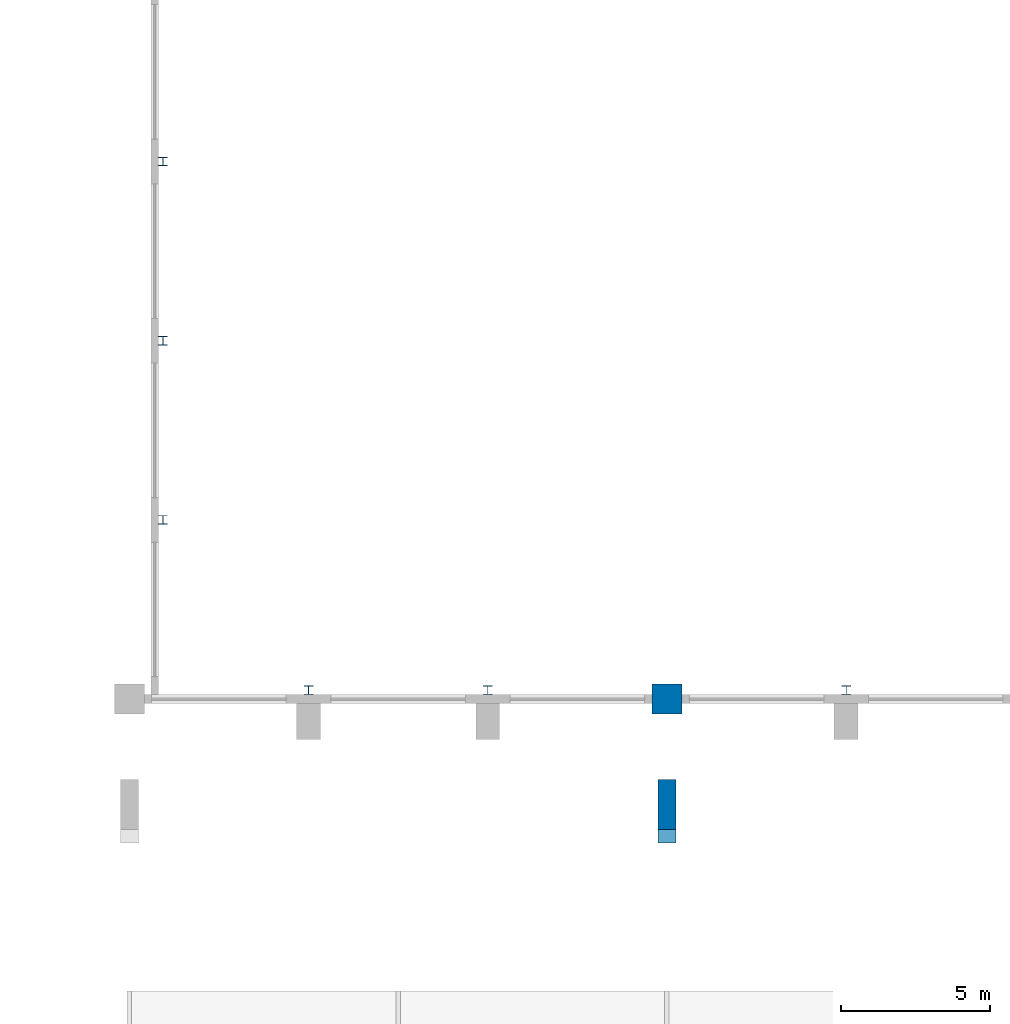
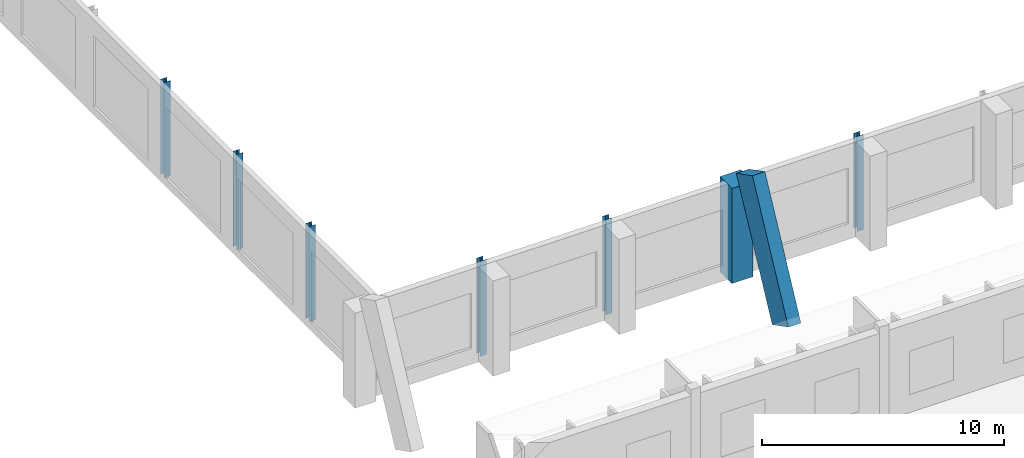
# One storey, part 7 of 182: 8 columns.
"""IFC4 building model written with IfcOpenShell, lengths in metres."""

from ifc_helpers import new_model, si_unit, direction, frame, origin, origin_2d, place, context, subcontext, project, spatial, rectangle, i_section, extrude, material, material_profile, profile_set, type_object, element, save


model = new_model("IFC4")

# Units and contexts
model_context = context("Model", 3, precision=1e-05, world=origin(), true_north=direction((0.0, 1.0)))
body_context = subcontext(model_context, "Body", "Model", "MODEL_VIEW")
ifc_project = project(units=[si_unit("LENGTHUNIT", "METRE"), si_unit("AREAUNIT", "SQUARE_METRE"), si_unit("VOLUMEUNIT", "CUBIC_METRE"), si_unit("PLANEANGLEUNIT", "RADIAN"), si_unit("MASSUNIT", "GRAM", prefix="KILO")], contexts=[model_context])

# Site, building, storey
site_placement = place(None, origin())
site = spatial("IfcSite", under=ifc_project, at=site_placement, CompositionType="ELEMENT")
building_placement = place(site_placement, origin())
building = spatial("IfcBuilding", under=site, at=building_placement, Name="Okhra Congress Centre", CompositionType="ELEMENT")
storey_placement = place(building_placement, frame((0.0, 0.0, 7.199951171875)))
storey = spatial("IfcBuildingStorey", under=building, at=storey_placement, Name="L01", CompositionType="ELEMENT", Elevation=7.199951171875)

# Columns
ifc_material_1 = material(Name="Steel S355J2", Category="steel")
ifc_material_profile_1 = material_profile(ifc_material_1, i_section(OverallWidth=0.300048828125, OverallDepth=0.2900390625, WebThickness=0.008544921875, FlangeThickness=0.013916015625, at=origin_2d()), Name="HE 300 A")
ifc_profile_set_1 = profile_set([ifc_material_profile_1], Name="Steel S355J2")
column_type_1 = type_object("IfcColumnType", Name="HE 300 A", PredefinedType="COLUMN", material=ifc_profile_set_1)
for number, where, z_axis, x_axis, name in (
    (1, (34.0, 132.300048828125, 0.0), (0.0, 0.0, 1.0), (1.0, 0.0, 0.0), "EH.COL.L01.WP1"),
    (2, (40.0, 132.300048828125, 0.0), (0.0, 0.0, 1.0), (1.0, 0.0, 0.0), "EH.COL.L01.WP2"),
    (3, (52.0, 132.300048828125, 0.0), (0.0, 0.0, 1.0), (1.0, 0.0, 0.0), "EH.COL.L01.WP3"),
    (4, (29.125, 138.0, 0.0), (0.0, 0.0, 1.0), (1.0, 0.0, 0.0), "EH.COL.L01.WP15"),
    (5, (29.125, 144.0, 0.0), (0.0, 0.0, 1.0), (1.0, 0.0, 0.0), "EH.COL.L01.WP17"),
    (6, (29.125, 150.0, 0.0), (0.0, 0.0, 1.0), (1.0, 0.0, 0.0), "EH.COL.L01.WP19"),
):
    element("IfcColumn", number, at=place(storey_placement, frame(where, z_axis=z_axis, x_axis=x_axis)), inside=storey, type_object=column_type_1, Name=name, PredefinedType="COLUMN", context=body_context, shape_type="SweptSolid", body=[
        extrude(i_section(OverallWidth=0.300048828125, OverallDepth=0.2900390625, WebThickness=0.008544921875, FlangeThickness=0.013916015625, at=origin_2d()), origin(), (0.0, 0.0, 1.0), 4.800048828125),
    ])
ifc_material_2 = material(Name="Concrete C40/50", Category="concrete")
ifc_material_profile_2 = material_profile(ifc_material_2, rectangle(XDim=1.0, YDim=1.0, at=origin_2d()), Name="RC 1000x1000")
ifc_profile_set_2 = profile_set([ifc_material_profile_2], Name="Concrete C40/50")
column_type_2 = type_object("IfcColumnType", Name="RC column 1000x1000 C40/50", PredefinedType="COLUMN", material=ifc_profile_set_2)
column_1_placement = place(storey_placement, frame((46.0, 132.0, 0.0), z_axis=(0.0, 0.0, 1.0), x_axis=(1.0, 0.0, 0.0)))
element("IfcColumn", 7, at=column_1_placement, inside=storey, type_object=column_type_2, Name="EH.COL.L01.SC3", PredefinedType="COLUMN", context=body_context, shape_type="SweptSolid", body=[
    extrude(rectangle(XDim=1.0, YDim=1.0, at=origin_2d()), origin(), (0.0, 0.0, 1.0), 4.800048828125),
])
ifc_material_3 = material(Name="Concrete C35/45", Category="concrete")
ifc_material_profile_3 = material_profile(ifc_material_3, rectangle(XDim=0.60009765625, YDim=1.5, at=origin_2d()), Name="RC 600x1500")
ifc_profile_set_3 = profile_set([ifc_material_profile_3], Name="Concrete C35/45")
column_type_3 = type_object("IfcColumnType", Name="Raking buttress pier RC 600x1500 C35/45", PredefinedType="COLUMN", material=ifc_profile_set_3)
column_2_placement = place(storey_placement, frame((46.0, 127.85595703125, 0.0), z_axis=(0.0, 0.453979342661, 0.891012208916), x_axis=(-1.0, 0.0, 0.0)))
element("IfcColumn", 8, at=column_2_placement, inside=storey, type_object=column_type_3, Name="Buttress pier 2", PredefinedType="COLUMN", context=body_context, shape_type="SweptSolid", body=[
    extrude(rectangle(XDim=0.60009765625, YDim=1.5, at=origin_2d()), origin(), (0.0, 0.0, 1.0), 6.554931640625),
])

save(model, "model.ifc")
